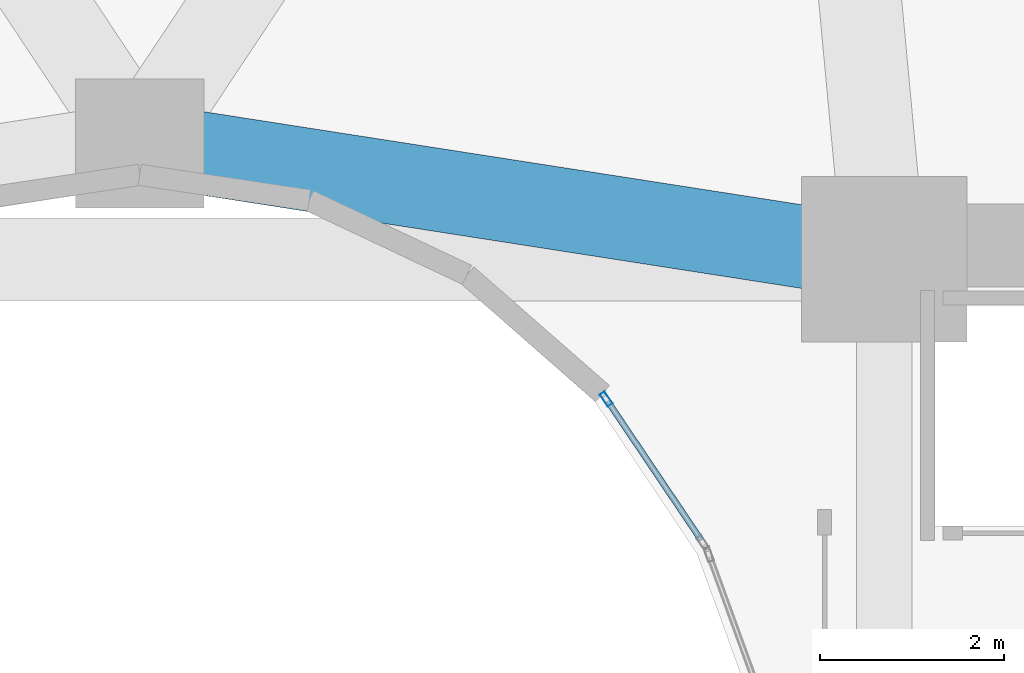
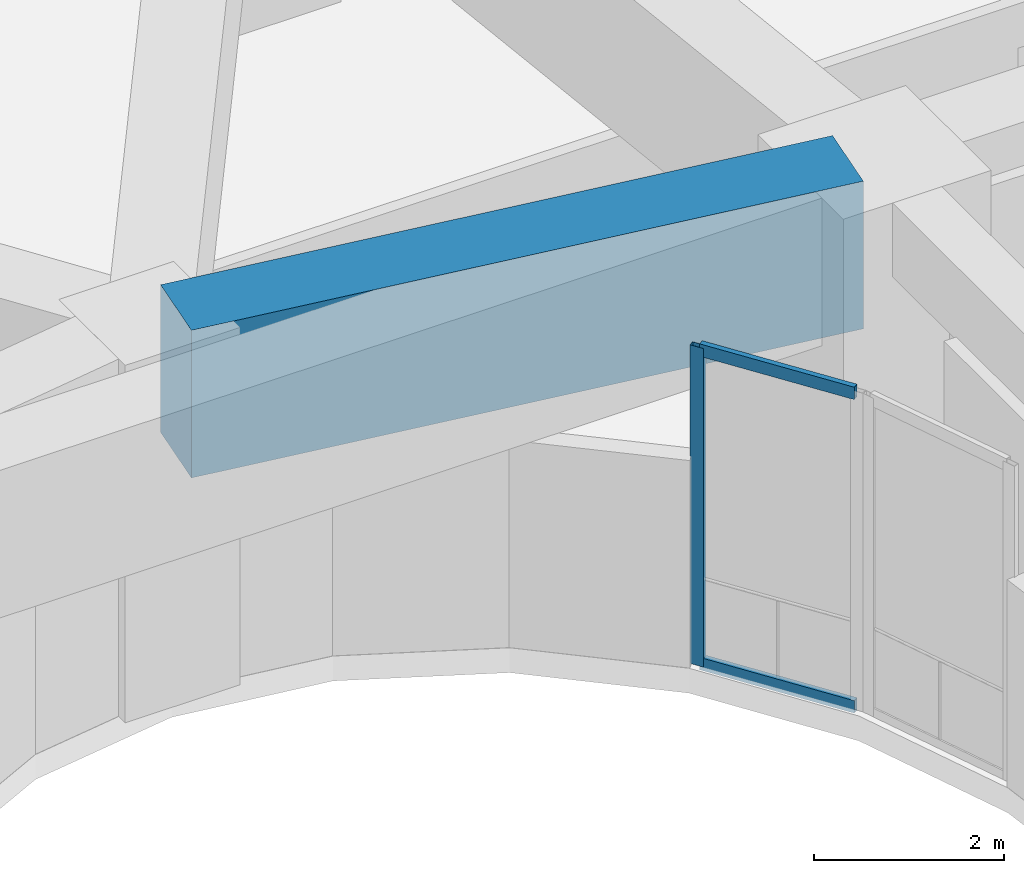
# One storey, part 11 of 27: 3 members, 1 beam, 1 element without a shape of its own.
"""IFC4 building model written with IfcOpenShell, lengths in metres."""

import ifcopenshell
import ifcopenshell.guid

model = None  # the IFC model being written
_history = None  # IfcOwnerHistory: only IFC2X3 demands one
_inside = {}  # id of a spatial element -> (the spatial element, [elements in it])
_under = {}  # id of a project, library or spatial element -> (it, [spatial elements below it])
_declared = {}  # id of a project -> (the project, [libraries it declares])
_typed = {}  # id of a type object -> (the type object, [elements of that type])
_made_of = {}  # id of a material, layer set ... -> (it, [elements and type objects made of it])


def new_model(schema):
    """Start an empty IFC model of exactly this schema.

    Asked for "IFC4X3", IfcOpenShell would pick the latest addendum, in which some entities
    have other attributes; the version numbers below select the first issue.
    IFC2X3 requires an IfcOwnerHistory on every rooted entity: one is made here for all.
    """
    global model, _history
    if schema == "IFC4X3":
        model = ifcopenshell.file(schema_version=(4, 3, 0, 0))
    else:
        model = ifcopenshell.file(schema=schema)
    _inside.clear()
    _under.clear()
    _declared.clear()
    _typed.clear()
    _made_of.clear()
    _history = None
    if model.schema == "IFC2X3":
        org = make("IfcOrganization", Name="unknown")
        user = make(
            "IfcPersonAndOrganization",
            ThePerson=make("IfcPerson", FamilyName="unknown"),
            TheOrganization=org,
        )
        app = make(
            "IfcApplication",
            ApplicationDeveloper=org,
            Version="unknown",
            ApplicationFullName="unknown",
            ApplicationIdentifier="unknown",
        )
        _history = make(
            "IfcOwnerHistory",
            OwningUser=user,
            OwningApplication=app,
            ChangeAction="ADDED",
            CreationDate=0,
        )
    return model


def make(cls, **values):
    """One entity of the class cls with the attributes given. An attribute that is None is left unset."""
    return model.create_entity(
        cls, **{name: value for name, value in values.items() if value is not None}
    )


def rooted(cls, **values):
    """An entity with a GlobalId (a new one), such as an element, a storey or a relation."""
    return make(cls, GlobalId=ifcopenshell.guid.new(), OwnerHistory=_history, **values)


def si_unit(unit_type, name, prefix=None):
    """IfcSIUnit, for example si_unit("LENGTHUNIT", "METRE", prefix="MILLI")."""
    return make("IfcSIUnit", UnitType=unit_type, Prefix=prefix, Name=name)


def assignment(units):
    """IfcUnitAssignment: the units of a project."""
    return None if units is None else make("IfcUnitAssignment", Units=units)


def point(xyz):
    """IfcCartesianPoint."""
    return None if xyz is None else make("IfcCartesianPoint", Coordinates=xyz)


def direction(xyz):
    """IfcDirection."""
    return None if xyz is None else make("IfcDirection", DirectionRatios=xyz)


def frame(location, z_axis=None, x_axis=None):
    """IfcAxis2Placement3D, a coordinate frame: its origin and axes. An axis left out is left unset."""
    return make(
        "IfcAxis2Placement3D",
        Location=point(location),
        Axis=direction(z_axis),
        RefDirection=direction(x_axis),
    )


def frame_2d(location, x_axis=None):
    """IfcAxis2Placement2D, a coordinate frame in the plane: its origin and x axis."""
    return make(
        "IfcAxis2Placement2D", Location=point(location), RefDirection=direction(x_axis)
    )


def origin():
    """The frame at (0, 0, 0) with its axes left unset."""
    return frame((0.0, 0.0, 0.0))


def origin_2d():
    """The frame at (0, 0) in the plane with its x axis left unset."""
    return frame_2d((0.0, 0.0))


def place(relative_to, where):
    """IfcLocalPlacement: puts the frame where relative to a parent placement (None: the world)."""
    return make(
        "IfcLocalPlacement", PlacementRelTo=relative_to, RelativePlacement=where
    )


def context(
    kind, dimensions, precision=None, world=None, true_north=None, identifier=None
):
    """IfcGeometricRepresentationContext, for example the 3D "Model" context."""
    return make(
        "IfcGeometricRepresentationContext",
        ContextIdentifier=identifier,
        ContextType=kind,
        CoordinateSpaceDimension=dimensions,
        Precision=precision,
        WorldCoordinateSystem=world,
        TrueNorth=true_north,
    )


def subcontext(parent, identifier, kind, view, scale=None):
    """IfcGeometricRepresentationSubContext, for example "Body" below "Model"."""
    return make(
        "IfcGeometricRepresentationSubContext",
        ContextIdentifier=identifier,
        ContextType=kind,
        ParentContext=parent,
        TargetScale=scale,
        TargetView=view,
    )


def project(units=None, contexts=None):
    """IfcProject with its units and contexts."""
    return rooted(
        "IfcProject",
        Name="project",
        RepresentationContexts=contexts,
        UnitsInContext=assignment(units),
    )


def spatial(cls, under=None, at=None, **own):
    """A site, building, storey or space (cls), placed at a placement, below another one or the project."""
    s = rooted(cls, ObjectPlacement=at, **own)
    if under is not None:
        _under.setdefault(under.id(), (under, []))[1].append(s)
    return s


def profile(cls, at=None, kind="AREA", **sizes):
    """A parametric profile (cls). Its sizes go by their IFC names, for example OverallWidth=200.0."""
    return make(cls, ProfileType=kind, Position=at, **sizes)


def rectangle(**sizes):
    """IfcRectangleProfileDef."""
    return profile("IfcRectangleProfileDef", **sizes)


def hollow_rectangle(**sizes):
    """IfcRectangleHollowProfileDef."""
    return profile("IfcRectangleHollowProfileDef", **sizes)


def extrude(swept, where, along, depth):
    """IfcExtrudedAreaSolid: the profile swept, set in the frame where, extruded along a direction by depth."""
    return make(
        "IfcExtrudedAreaSolid",
        SweptArea=swept,
        Position=where,
        ExtrudedDirection=direction(along),
        Depth=depth,
    )


def shape(context_of_items, identifier, shape_type, items):
    """IfcShapeRepresentation: the items that make up one representation, for example the "Body"."""
    return make(
        "IfcShapeRepresentation",
        ContextOfItems=context_of_items,
        RepresentationIdentifier=identifier,
        RepresentationType=shape_type,
        Items=items,
    )


def material(Name=None, Category=None):
    """IfcMaterial."""
    return make("IfcMaterial", Name=Name, Category=Category)


def layer(
    of_material, thickness, ventilated=None, Name=None, Category=None, Priority=None
):
    """IfcMaterialLayer: one layer of a wall or slab, of a material (None: an air gap)."""
    return make(
        "IfcMaterialLayer",
        Material=of_material,
        LayerThickness=thickness,
        IsVentilated=ventilated,
        Name=Name,
        Category=Category,
        Priority=Priority,
    )


def layer_set(layers, Name=None):
    """IfcMaterialLayerSet."""
    return make("IfcMaterialLayerSet", MaterialLayers=layers, LayerSetName=Name)


def material_profile(
    of_material, cross_section, Name=None, Category=None, Priority=None
):
    """IfcMaterialProfile: a cross section and its material."""
    return make(
        "IfcMaterialProfile",
        Name=Name,
        Material=of_material,
        Profile=cross_section,
        Priority=Priority,
        Category=Category,
    )


def profile_set(profiles, Name=None, composite=None):
    """IfcMaterialProfileSet."""
    return make(
        "IfcMaterialProfileSet",
        Name=Name,
        MaterialProfiles=profiles,
        CompositeProfile=composite,
    )


def made_of(thing, what):
    """Note that an element or type object is made of a material, layer set ...; save() writes the relation."""
    if what is not None:
        _made_of.setdefault(what.id(), (what, []))[1].append(thing)
    return thing


def type_object(cls, material=None, **own):
    """A type object (cls), such as IfcWallType, which elements share."""
    return made_of(rooted(cls, **own), material)


def element(
    cls,
    number,
    at=None,
    inside=None,
    cuts=None,
    type_object=None,
    material=None,
    context=None,
    identifier="Body",
    shape_type=None,
    held_by="IfcProductDefinitionShape",
    body=None,
    shapes=None,
    **own,
):
    """One element of the class cls, such as IfcWall. Its Tag is "e" and its number.

    at: its placement. inside: the storey or other place that contains it. cuts: it is an
    opening in that element (IfcRelVoidsElement). A single representation is given by context,
    identifier, shape_type and body (its items); several are given by shapes. held_by: the class
    of the entity that holds the representations. save() writes the other relations.
    """
    e = rooted(cls, Tag="e%d" % number, ObjectPlacement=at, **own)
    if body is not None:
        shapes = [shape(context, identifier, shape_type, body)]
    if shapes is not None:
        e.Representation = make(held_by, Representations=shapes)
    if inside is not None:
        _inside.setdefault(inside.id(), (inside, []))[1].append(e)
    if cuts is not None:
        rooted(
            "IfcRelVoidsElement", RelatingBuildingElement=cuts, RelatedOpeningElement=e
        )
    if type_object is not None:
        _typed.setdefault(type_object.id(), (type_object, []))[1].append(e)
    return made_of(e, material)


def aggregate(whole, parts):
    """IfcRelAggregates: a whole, such as a stair, and the parts it consists of."""
    return rooted("IfcRelAggregates", RelatingObject=whole, RelatedObjects=parts)


def save(model, path):
    """Write the relations noted so far, then the file.

    IfcRelAggregates (storeys below a building ...), IfcRelContainedInSpatialStructure (elements
    in a storey), IfcRelDefinesByType, IfcRelAssociatesMaterial and IfcRelDeclares: one each for
    every whole, place, type object, material and project.
    """
    for whole, parts in _under.values():
        aggregate(whole, parts)
    for where, things in _inside.values():
        rooted(
            "IfcRelContainedInSpatialStructure",
            RelatedElements=things,
            RelatingStructure=where,
        )
    for kind, things in _typed.values():
        rooted("IfcRelDefinesByType", RelatedObjects=things, RelatingType=kind)
    for what, things in _made_of.values():
        rooted("IfcRelAssociatesMaterial", RelatedObjects=things, RelatingMaterial=what)
    for by, libraries in _declared.values():
        rooted("IfcRelDeclares", RelatingContext=by, RelatedDefinitions=libraries)
    model.write(path)


model = new_model("IFC4")

# Units and contexts
model_context = context("Model", 3, precision=1e-05, world=origin(), true_north=direction((0.0, 1.0)))
body_context = subcontext(model_context, "Body", "Model", "MODEL_VIEW")
ifc_project = project(units=[si_unit("LENGTHUNIT", "METRE"), si_unit("AREAUNIT", "SQUARE_METRE"), si_unit("VOLUMEUNIT", "CUBIC_METRE"), si_unit("PLANEANGLEUNIT", "RADIAN"), si_unit("MASSUNIT", "GRAM", prefix="KILO")], contexts=[model_context])

# Site, building, storey
site_placement = place(None, origin())
site = spatial("IfcSite", under=ifc_project, at=site_placement, CompositionType="ELEMENT")
building_placement = place(site_placement, origin())
building = spatial("IfcBuilding", under=site, at=building_placement, Name="Solvane Sanctuary Tower", CompositionType="ELEMENT")
storey_placement = place(building_placement, frame((0.0, 0.0, 23.0)))
storey = spatial("IfcBuildingStorey", under=building, at=storey_placement, Name="L06", CompositionType="ELEMENT", Elevation=23.0)

# Beam
ifc_material_1 = material(Name="Concrete C60/75", Category="concrete")
ifc_material_profile_1 = material_profile(ifc_material_1, rectangle(XDim=0.89990234375, YDim=1.89990234375, at=origin_2d()), Name="RC900X1900")
ifc_profile_set_1 = profile_set([ifc_material_profile_1], Name="Concrete C60/75")
beam_type = type_object("IfcBeamType", Name="Beam B-XFER-POD RC900X1900", PredefinedType="BEAM", material=ifc_profile_set_1)
beam_placement = place(storey_placement, frame((32.29638671875, 31.413818359375, 3.64990234375), z_axis=(0.988118095737, -0.15369654803, 0.0), x_axis=(0.15369654803, 0.988118095737, 0.0)))
element("IfcBeam", 1, at=beam_placement, inside=storey, type_object=beam_type, Name="L06 Podium Transfer Girder XP24", PredefinedType="BEAM", context=body_context, shape_type="SweptSolid", body=[
    extrude(rectangle(XDim=0.89990234375, YDim=1.89990234375, at=origin_2d()), origin(), (0.0, 0.0, 1.0), 7.59765625),
])

# Curtain wall, members
ifc_material_2 = material(Name="Anodised Aluminium 6063-T6", Category="aluminium")
ifc_layer = layer(ifc_material_2, 0.199951171875, Name="Anodised Aluminium 6063-T6")
ifc_layer_set = layer_set([ifc_layer], Name="Anodised Aluminium 6063-T6")
curtain_wall_type = type_object("IfcCurtainWallType", Name="Curtain Wall CW-WELL", PredefinedType="NOTDEFINED", material=ifc_layer_set)
curtain_wall_placement = place(storey_placement, origin())
curtain_wall = element("IfcCurtainWall", 2, at=curtain_wall_placement, inside=storey, type_object=curtain_wall_type, Name="L06 Light-Well Curtain Wall 02", PredefinedType="NOTDEFINED")
ifc_material_profile_2 = material_profile(ifc_material_2, hollow_rectangle(XDim=0.06494140625, YDim=0.159912109375, WallThickness=0.00341796875, at=origin_2d()), Name="ALU160X65X3.5")
ifc_profile_set_2 = profile_set([ifc_material_profile_2], Name="Anodised Aluminium 6063-T6")
member_type_1 = type_object("IfcMemberType", Name="Member M-CW-MUL-2 ALU160X65X3.5", PredefinedType="MULLION", material=ifc_profile_set_2)
member_1_placement = place(storey_placement, frame((37.074951171875, 28.681640625, 0.0), z_axis=(0.0, 0.0, 1.0), x_axis=(-0.829664150104, -0.558262839559, 0.0)))
member_1 = element("IfcMember", 3, at=member_1_placement, type_object=member_type_1, Name="CW-WELL mullion 2", PredefinedType="MULLION", context=body_context, shape_type="SweptSolid", body=[
    extrude(hollow_rectangle(XDim=0.06494140625, YDim=0.159912109375, WallThickness=0.00341796875, at=origin_2d()), origin(), (0.0, 0.0, 1.0), 4.10009765625),
])
ifc_material_profile_3 = material_profile(ifc_material_2, hollow_rectangle(XDim=0.06494140625, YDim=0.159912109375, WallThickness=0.00341796875, at=origin_2d()), Name="ALU160X65X3.5")
ifc_profile_set_3 = profile_set([ifc_material_profile_3], Name="Anodised Aluminium 6063-T6")
member_type_2 = type_object("IfcMemberType", Name="Member M-CW-TRN-1 ALU160X65X3.5", PredefinedType="USERDEFINED", material=ifc_profile_set_3)
member_2_placement = place(storey_placement, frame((38.107421875, 27.147216796875, 0.032470703125), z_axis=(-0.558230518083, 0.829685897603, 0.0), x_axis=(-0.829685897603, -0.558230518083, 0.0)))
member_2 = element("IfcMember", 4, at=member_2_placement, type_object=member_type_2, Name="CW-WELL transom 1.1", ObjectType="TRANSOM", PredefinedType="USERDEFINED", context=body_context, shape_type="SweptSolid", body=[
    extrude(hollow_rectangle(XDim=0.06494140625, YDim=0.159912109375, WallThickness=0.00341796875, at=origin_2d()), origin(), (0.0, 0.0, 1.0), 1.816650390625),
])
member_3_placement = place(storey_placement, frame((38.107421875, 27.147216796875, 4.0673828125), z_axis=(-0.558230518083, 0.829685897603, 0.0), x_axis=(-0.829685897603, -0.558230518083, 0.0)))
member_3 = element("IfcMember", 5, at=member_3_placement, type_object=member_type_2, Name="CW-WELL transom 1.2", ObjectType="TRANSOM", PredefinedType="USERDEFINED", context=body_context, shape_type="SweptSolid", body=[
    extrude(hollow_rectangle(XDim=0.06494140625, YDim=0.159912109375, WallThickness=0.00341796875, at=origin_2d()), origin(), (0.0, 0.0, 1.0), 1.816650390625),
])
aggregate(curtain_wall, [member_1, member_2, member_3])

save(model, "model.ifc")
